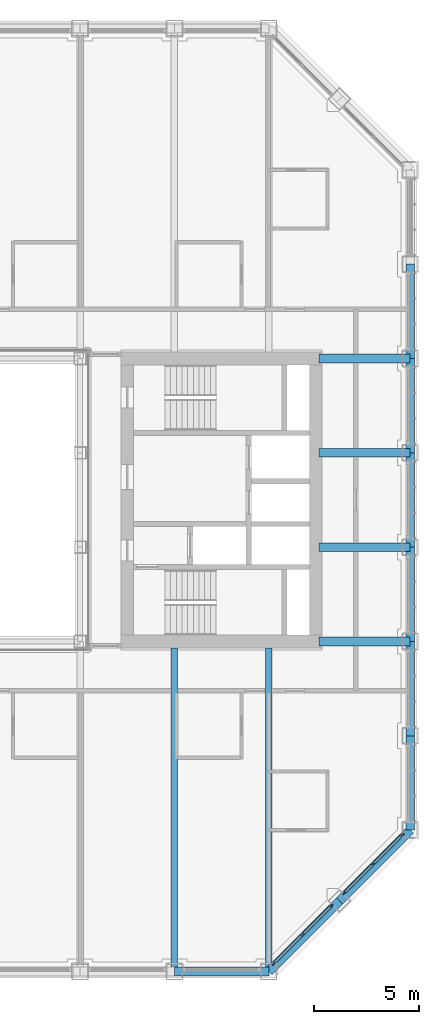
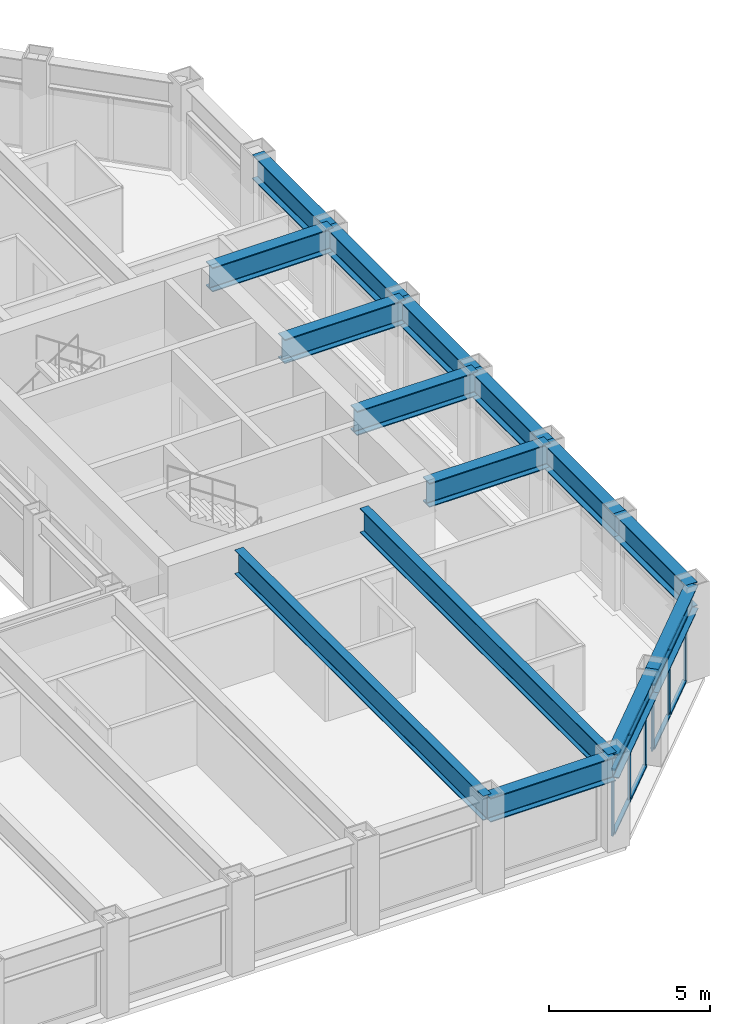
# One storey, part 6 of 17: 15 beams, 14 members, 2 elements without a shape of their own.
"""IFC4 building model written with IfcOpenShell, lengths in metres."""

from ifc_helpers import new_model, si_unit, direction, frame, origin, origin_2d, place, context, subcontext, project, spatial, rectangle, i_section, extrude, material, material_profile, profile_set, type_object, element, aggregate, save


model = new_model("IFC4")

# Units and contexts
model_context = context("Model", 3, precision=1e-05, world=origin(), true_north=direction((0.0, 1.0)))
body_context = subcontext(model_context, "Body", "Model", "MODEL_VIEW")
ifc_project = project(units=[si_unit("LENGTHUNIT", "METRE"), si_unit("AREAUNIT", "SQUARE_METRE"), si_unit("VOLUMEUNIT", "CUBIC_METRE"), si_unit("PLANEANGLEUNIT", "RADIAN"), si_unit("MASSUNIT", "GRAM", prefix="KILO")], contexts=[model_context])

# Site, building, storey
site_placement = place(None, origin())
site = spatial("IfcSite", under=ifc_project, at=site_placement, CompositionType="ELEMENT")
building_placement = place(site_placement, origin())
building = spatial("IfcBuilding", under=site, at=building_placement, Name="Msasa Ring Tower", CompositionType="ELEMENT")
storey_placement = place(building_placement, frame((0.0, 0.0, 140.0)))
storey = spatial("IfcBuildingStorey", under=building, at=storey_placement, Name="L36", CompositionType="ELEMENT", Elevation=140.0)

# Curtain wall, members
ifc_material_1 = material(Name="Aluminium curtain wall with clear glass", Category="aluminium")
curtain_wall_type = type_object("IfcCurtainWallType", Name="CW-C CHAMFER CORNER CURTAIN WALL", PredefinedType="NOTDEFINED", material=ifc_material_1)
curtain_wall_1_placement = place(storey_placement, origin())
curtain_wall_1 = element("IfcCurtainWall", 1, at=curtain_wall_1_placement, inside=storey, type_object=curtain_wall_type, Name="Chamfer corner curtain wall SE L36", PredefinedType="NOTDEFINED")
ifc_material_2 = material(Name="Aluminium mullion", Category="aluminium")
ifc_material_profile_1 = material_profile(ifc_material_2, rectangle(XDim=0.06494140625, YDim=0.179931640625, at=origin_2d()), Name="AL 65x180")
ifc_profile_set_1 = profile_set([ifc_material_profile_1], Name="Aluminium mullion")
member_type_1 = type_object("IfcMemberType", Name="CW-C MULLION 65x180", PredefinedType="MULLION", material=ifc_profile_set_1)
member_1_placement = place(storey_placement, frame((15.98876953125, -22.119873046875, 0.0), z_axis=(0.0, 0.0, 1.0), x_axis=(-0.707106781187, 0.707106781187, 0.0)))
member_1 = element("IfcMember", 2, at=member_1_placement, type_object=member_type_1, Name="CW-C mullion 1", PredefinedType="MULLION", context=body_context, shape_type="SweptSolid", body=[
    extrude(rectangle(XDim=0.06494140625, YDim=0.179931640625, at=origin_2d()), origin(), (0.0, 0.0, 1.0), 2.47900390625),
])
member_2_placement = place(storey_placement, frame((17.36669921875, -20.74169921875, 0.0), z_axis=(0.0, 0.0, 1.0), x_axis=(-0.707106781187, 0.707106781187, 0.0)))
member_2 = element("IfcMember", 3, at=member_2_placement, type_object=member_type_1, Name="CW-C mullion 2", PredefinedType="MULLION", context=body_context, shape_type="SweptSolid", body=[
    extrude(rectangle(XDim=0.06494140625, YDim=0.179931640625, at=origin_2d()), origin(), (0.0, 0.0, 1.0), 2.47900390625),
])
member_3_placement = place(storey_placement, frame((18.744873046875, -19.36376953125, 0.0), z_axis=(0.0, 0.0, 1.0), x_axis=(-0.707106781187, 0.707106781187, 0.0)))
member_3 = element("IfcMember", 4, at=member_3_placement, type_object=member_type_1, Name="CW-C mullion 3", PredefinedType="MULLION", context=body_context, shape_type="SweptSolid", body=[
    extrude(rectangle(XDim=0.06494140625, YDim=0.179931640625, at=origin_2d()), origin(), (0.0, 0.0, 1.0), 2.47900390625),
])

curtain_wall_2_placement = place(storey_placement, origin())
curtain_wall_2 = element("IfcCurtainWall", 5, at=curtain_wall_2_placement, inside=storey, type_object=curtain_wall_type, Name="Chamfer corner curtain wall SE L36", PredefinedType="NOTDEFINED")
member_4_placement = place(storey_placement, frame((19.36376953125, -18.744873046875, 0.0), z_axis=(0.0, 0.0, 1.0), x_axis=(-0.707106781187, 0.707106781187, 0.0)))
member_4 = element("IfcMember", 6, at=member_4_placement, type_object=member_type_1, Name="CW-C mullion 1", PredefinedType="MULLION", context=body_context, shape_type="SweptSolid", body=[
    extrude(rectangle(XDim=0.06494140625, YDim=0.179931640625, at=origin_2d()), origin(), (0.0, 0.0, 1.0), 2.47900390625),
])
member_5_placement = place(storey_placement, frame((20.74169921875, -17.36669921875, 0.0), z_axis=(0.0, 0.0, 1.0), x_axis=(-0.707106781187, 0.707106781187, 0.0)))
member_5 = element("IfcMember", 7, at=member_5_placement, type_object=member_type_1, Name="CW-C mullion 2", PredefinedType="MULLION", context=body_context, shape_type="SweptSolid", body=[
    extrude(rectangle(XDim=0.06494140625, YDim=0.179931640625, at=origin_2d()), origin(), (0.0, 0.0, 1.0), 2.47900390625),
])
member_6_placement = place(storey_placement, frame((22.119873046875, -15.98876953125, 0.0), z_axis=(0.0, 0.0, 1.0), x_axis=(-0.707106781187, 0.707106781187, 0.0)))
member_6 = element("IfcMember", 8, at=member_6_placement, type_object=member_type_1, Name="CW-C mullion 3", PredefinedType="MULLION", context=body_context, shape_type="SweptSolid", body=[
    extrude(rectangle(XDim=0.06494140625, YDim=0.179931640625, at=origin_2d()), origin(), (0.0, 0.0, 1.0), 2.47900390625),
])

# Member
ifc_material_3 = material(Name="Aluminium transom", Category="aluminium")
ifc_material_profile_2 = material_profile(ifc_material_3, rectangle(XDim=0.139892578125, YDim=0.06494140625, at=origin_2d()), Name="AL 65x140")
ifc_profile_set_2 = profile_set([ifc_material_profile_2], Name="Aluminium transom")
member_type_2 = type_object("IfcMemberType", Name="CW-C TRANSOM 65x140", PredefinedType="USERDEFINED", material=ifc_profile_set_2)
member_7_placement = place(storey_placement, frame((16.01171875, -22.096923828125, 0.032470703125), z_axis=(0.707106781187, 0.707106781187, 0.0), x_axis=(-0.707106781187, 0.707106781187, 0.0)))
member_7 = element("IfcMember", 9, at=member_7_placement, type_object=member_type_2, Name="CW-C transom 1.1", ObjectType="TRANSOM", PredefinedType="USERDEFINED", context=body_context, shape_type="SweptSolid", body=[
    extrude(rectangle(XDim=0.139892578125, YDim=0.06494140625, at=origin_2d()), origin(), (0.0, 0.0, 1.0), 1.8837890625),
])

member_8_placement = place(storey_placement, frame((16.01171875, -22.096923828125, 2.446533203125), z_axis=(0.707106781187, 0.707106781187, 0.0), x_axis=(-0.707106781187, 0.707106781187, 0.0)))
member_8 = element("IfcMember", 10, at=member_8_placement, type_object=member_type_2, Name="CW-C transom 1.2", ObjectType="TRANSOM", PredefinedType="USERDEFINED", context=body_context, shape_type="SweptSolid", body=[
    extrude(rectangle(XDim=0.139892578125, YDim=0.06494140625, at=origin_2d()), origin(), (0.0, 0.0, 1.0), 1.8837890625),
])

member_9_placement = place(storey_placement, frame((17.389892578125, -20.71875, 0.032470703125), z_axis=(0.707106781187, 0.707106781187, 0.0), x_axis=(-0.707106781187, 0.707106781187, 0.0)))
member_9 = element("IfcMember", 11, at=member_9_placement, type_object=member_type_2, Name="CW-C transom 2.1", ObjectType="TRANSOM", PredefinedType="USERDEFINED", context=body_context, shape_type="SweptSolid", body=[
    extrude(rectangle(XDim=0.139892578125, YDim=0.06494140625, at=origin_2d()), origin(), (0.0, 0.0, 1.0), 1.8837890625),
])

member_10_placement = place(storey_placement, frame((17.389892578125, -20.71875, 2.446533203125), z_axis=(0.707106781187, 0.707106781187, 0.0), x_axis=(-0.707106781187, 0.707106781187, 0.0)))
member_10 = element("IfcMember", 12, at=member_10_placement, type_object=member_type_2, Name="CW-C transom 2.2", ObjectType="TRANSOM", PredefinedType="USERDEFINED", context=body_context, shape_type="SweptSolid", body=[
    extrude(rectangle(XDim=0.139892578125, YDim=0.06494140625, at=origin_2d()), origin(), (0.0, 0.0, 1.0), 1.8837890625),
])

aggregate(curtain_wall_1, [member_1, member_2, member_3, member_7, member_8, member_9, member_10])

member_11_placement = place(storey_placement, frame((19.38671875, -18.721923828125, 0.032470703125), z_axis=(0.707106781187, 0.707106781187, 0.0), x_axis=(-0.707106781187, 0.707106781187, 0.0)))
member_11 = element("IfcMember", 13, at=member_11_placement, type_object=member_type_2, Name="CW-C transom 1.1", ObjectType="TRANSOM", PredefinedType="USERDEFINED", context=body_context, shape_type="SweptSolid", body=[
    extrude(rectangle(XDim=0.139892578125, YDim=0.06494140625, at=origin_2d()), origin(), (0.0, 0.0, 1.0), 1.8837890625),
])

member_12_placement = place(storey_placement, frame((19.38671875, -18.721923828125, 2.446533203125), z_axis=(0.707106781187, 0.707106781187, 0.0), x_axis=(-0.707106781187, 0.707106781187, 0.0)))
member_12 = element("IfcMember", 14, at=member_12_placement, type_object=member_type_2, Name="CW-C transom 1.2", ObjectType="TRANSOM", PredefinedType="USERDEFINED", context=body_context, shape_type="SweptSolid", body=[
    extrude(rectangle(XDim=0.139892578125, YDim=0.06494140625, at=origin_2d()), origin(), (0.0, 0.0, 1.0), 1.8837890625),
])

member_13_placement = place(storey_placement, frame((20.764892578125, -17.34375, 0.032470703125), z_axis=(0.707106781187, 0.707106781187, 0.0), x_axis=(-0.707106781187, 0.707106781187, 0.0)))
member_13 = element("IfcMember", 15, at=member_13_placement, type_object=member_type_2, Name="CW-C transom 2.1", ObjectType="TRANSOM", PredefinedType="USERDEFINED", context=body_context, shape_type="SweptSolid", body=[
    extrude(rectangle(XDim=0.139892578125, YDim=0.06494140625, at=origin_2d()), origin(), (0.0, 0.0, 1.0), 1.8837890625),
])

member_14_placement = place(storey_placement, frame((20.764892578125, -17.34375, 2.446533203125), z_axis=(0.707106781187, 0.707106781187, 0.0), x_axis=(-0.707106781187, 0.707106781187, 0.0)))
member_14 = element("IfcMember", 16, at=member_14_placement, type_object=member_type_2, Name="CW-C transom 2.2", ObjectType="TRANSOM", PredefinedType="USERDEFINED", context=body_context, shape_type="SweptSolid", body=[
    extrude(rectangle(XDim=0.139892578125, YDim=0.06494140625, at=origin_2d()), origin(), (0.0, 0.0, 1.0), 1.8837890625),
])

aggregate(curtain_wall_2, [member_4, member_5, member_6, member_11, member_12, member_13, member_14])

# Beams
ifc_material_4 = material(Name="Steel S355", Category="steel")
ifc_material_profile_3 = material_profile(ifc_material_4, i_section(OverallWidth=0.42041015625, OverallDepth=0.9208984375, WebThickness=0.021484375, FlangeThickness=0.03662109375, FilletRadius=0.024169921875, at=origin_2d()), Name="UB 914x419x388")
ifc_profile_set_3 = profile_set([ifc_material_profile_3], Name="Steel S355")
beam_type_1 = type_object("IfcBeamType", Name="FB2 UB 914x419x388", PredefinedType="BEAM", material=ifc_profile_set_3)
for number, where, z_axis, x_axis, name in (
    (17, (22.5, -2.25, 2.939453125), (-1.0, 0.0, 0.0), (0.0, -1.0, 0.0), "Floor beam E -2.25 under L37"),
    (18, (22.5, 2.25, 2.939453125), (-1.0, 0.0, 0.0), (0.0, -1.0, 0.0), "Floor beam E +2.25 under L37"),
):
    element("IfcBeam", number, at=place(storey_placement, frame(where, z_axis=z_axis, x_axis=x_axis)), inside=storey, type_object=beam_type_1, Name=name, PredefinedType="BEAM", context=body_context, shape_type="SweptSolid", body=[
        extrude(i_section(OverallWidth=0.42041015625, OverallDepth=0.9208984375, WebThickness=0.021484375, FlangeThickness=0.03662109375, FilletRadius=0.024169921875, at=origin_2d()), origin(), (0.0, 0.0, 1.0), 4.35009765625),
    ])
ifc_material_5 = material(Name="Steel S355", Category="steel")
ifc_material_profile_4 = material_profile(ifc_material_5, i_section(OverallWidth=0.3076171875, OverallDepth=0.926513671875, WebThickness=0.01953125, FlangeThickness=0.031982421875, FilletRadius=0.01904296875, at=origin_2d()), Name="UB 914x305x289")
ifc_profile_set_4 = profile_set([ifc_material_profile_4], Name="Steel S355")
beam_type_2 = type_object("IfcBeamType", Name="FB3 UB 914x305x289", PredefinedType="BEAM", material=ifc_profile_set_4)
for number, where, z_axis, x_axis, name in (
    (19, (11.25, -22.5, 2.936767578125), (0.0, 1.0, 0.0), (-1.0, 0.0, 0.0), "Floor beam S+11.25 under L37"),
    (20, (15.75, -22.5, 2.936767578125), (0.0, 1.0, 0.0), (-1.0, 0.0, 0.0), "Floor beam S+15.75 under L37"),
):
    element("IfcBeam", number, at=place(storey_placement, frame(where, z_axis=z_axis, x_axis=x_axis)), inside=storey, type_object=beam_type_2, Name=name, PredefinedType="BEAM", context=body_context, shape_type="SweptSolid", body=[
        extrude(i_section(OverallWidth=0.3076171875, OverallDepth=0.926513671875, WebThickness=0.01953125, FlangeThickness=0.031982421875, FilletRadius=0.01904296875, at=origin_2d()), origin(), (0.0, 0.0, 1.0), 15.449951171875),
    ])
ifc_material_6 = material(Name="Steel S355", Category="steel")
ifc_material_profile_5 = material_profile(ifc_material_6, i_section(OverallWidth=0.42041015625, OverallDepth=0.9208984375, WebThickness=0.021484375, FlangeThickness=0.03662109375, FilletRadius=0.024169921875, at=origin_2d()), Name="UB 914x419x388")
ifc_profile_set_5 = profile_set([ifc_material_profile_5], Name="Steel S355")
beam_type_3 = type_object("IfcBeamType", Name="GB1 UB 914x419x388", PredefinedType="BEAM", material=ifc_profile_set_5)
for number, where, z_axis, x_axis, name in (
    (21, (18.14990234375, 6.75, 2.939453125), (1.0, 0.0, 0.0), (0.0, 1.0, 0.0), "Girder E +6.75 under L37"),
    (22, (18.14990234375, -6.75, 2.939453125), (1.0, 0.0, 0.0), (0.0, 1.0, 0.0), "Girder E -6.75 under L37"),
):
    element("IfcBeam", number, at=place(storey_placement, frame(where, z_axis=z_axis, x_axis=x_axis)), inside=storey, type_object=beam_type_3, Name=name, PredefinedType="BEAM", context=body_context, shape_type="SweptSolid", body=[
        extrude(i_section(OverallWidth=0.42041015625, OverallDepth=0.9208984375, WebThickness=0.021484375, FlangeThickness=0.03662109375, FilletRadius=0.024169921875, at=origin_2d()), origin(), (0.0, 0.0, 1.0), 4.35009765625),
    ])
ifc_material_7 = material(Name="Steel S355", Category="steel")
ifc_material_profile_6 = material_profile(ifc_material_7, i_section(OverallWidth=0.42041015625, OverallDepth=0.9208984375, WebThickness=0.021484375, FlangeThickness=0.03662109375, FilletRadius=0.024169921875, at=origin_2d()), Name="UB 914x419x388")
ifc_profile_set_6 = profile_set([ifc_material_profile_6], Name="Steel S355")
beam_type_4 = type_object("IfcBeamType", Name="SB1 UB 914x419x388", PredefinedType="SPANDREL", material=ifc_profile_set_6)
beam_placement = place(storey_placement, frame((11.25, -22.5, 2.939453125), z_axis=(1.0, 0.0, 0.0), x_axis=(0.0, 1.0, 0.0)))
element("IfcBeam", 23, at=beam_placement, inside=storey, type_object=beam_type_4, Name="Spandrel S+11.25 to S+15.75 under L37", PredefinedType="SPANDREL", context=body_context, shape_type="SweptSolid", body=[
    extrude(i_section(OverallWidth=0.42041015625, OverallDepth=0.9208984375, WebThickness=0.021484375, FlangeThickness=0.03662109375, FilletRadius=0.024169921875, at=origin_2d()), origin(), (0.0, 0.0, 1.0), 4.5),
])
for number, where, z_axis, x_axis, name in (
    (24, (15.75, -22.5, 2.939453125), (0.707106781187, 0.707106781187, 0.0), (-0.707106781187, 0.707106781187, 0.0), "Spandrel S+15.75 to SE under L37"),
    (25, (19.125, -19.125, 2.939453125), (0.707106781187, 0.707106781187, 0.0), (-0.707106781187, 0.707106781187, 0.0), "Spandrel SE to E-15.75 under L37"),
):
    element("IfcBeam", number, at=place(storey_placement, frame(where, z_axis=z_axis, x_axis=x_axis)), inside=storey, type_object=beam_type_4, Name=name, PredefinedType="SPANDREL", context=body_context, shape_type="SweptSolid", body=[
        extrude(i_section(OverallWidth=0.42041015625, OverallDepth=0.9208984375, WebThickness=0.021484375, FlangeThickness=0.03662109375, FilletRadius=0.024169921875, at=origin_2d()), origin(), (0.0, 0.0, 1.0), 4.77294921875),
    ])
for number, where, z_axis, x_axis, name in (
    (26, (22.5, -15.75, 2.939453125), (0.0, 1.0, 0.0), (-1.0, 0.0, 0.0), "Spandrel E-15.75 to E-11.25 under L37"),
    (27, (22.5, -11.25, 2.939453125), (0.0, 1.0, 0.0), (-1.0, 0.0, 0.0), "Spandrel E-11.25 to E-6.75 under L37"),
    (28, (22.5, -6.75, 2.939453125), (0.0, 1.0, 0.0), (-1.0, 0.0, 0.0), "Spandrel E-6.75 to E-2.25 under L37"),
    (29, (22.5, -2.25, 2.939453125), (0.0, 1.0, 0.0), (-1.0, 0.0, 0.0), "Spandrel E-2.25 to E+2.25 under L37"),
    (30, (22.5, 2.25, 2.939453125), (0.0, 1.0, 0.0), (-1.0, 0.0, 0.0), "Spandrel E+2.25 to E+6.75 under L37"),
    (31, (22.5, 6.75, 2.939453125), (0.0, 1.0, 0.0), (-1.0, 0.0, 0.0), "Spandrel E+6.75 to E+11.25 under L37"),
):
    element("IfcBeam", number, at=place(storey_placement, frame(where, z_axis=z_axis, x_axis=x_axis)), inside=storey, type_object=beam_type_4, Name=name, PredefinedType="SPANDREL", context=body_context, shape_type="SweptSolid", body=[
        extrude(i_section(OverallWidth=0.42041015625, OverallDepth=0.9208984375, WebThickness=0.021484375, FlangeThickness=0.03662109375, FilletRadius=0.024169921875, at=origin_2d()), origin(), (0.0, 0.0, 1.0), 4.5),
    ])

save(model, "model.ifc")
